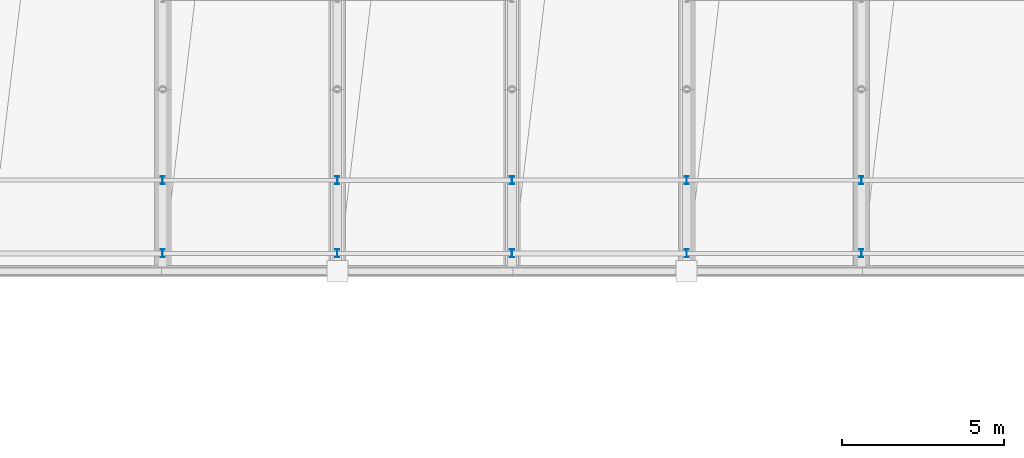
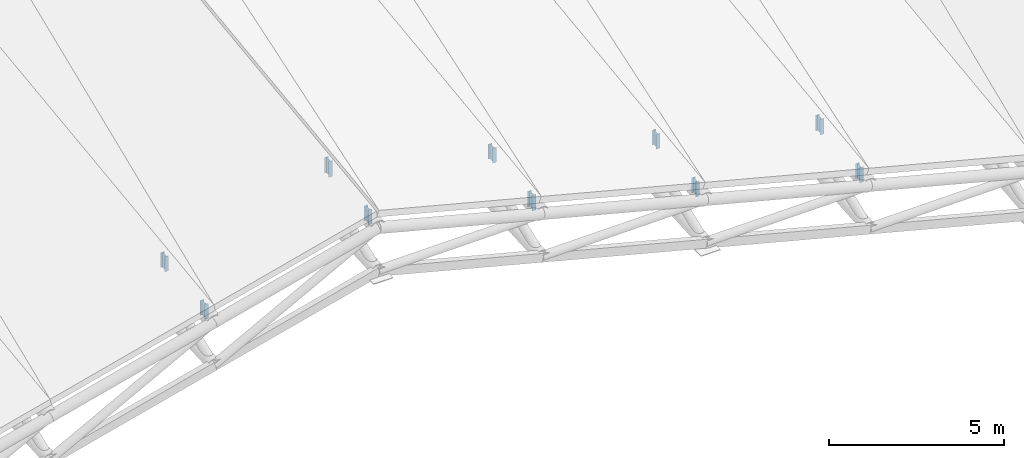
# One storey, part 59 of 109: 10 members.
"""IFC4 building model written with IfcOpenShell, lengths in metres."""

from ifc_helpers import new_model, si_unit, direction, frame, origin, origin_2d, place, context, subcontext, project, spatial, i_section, extrude, material, material_profile, profile_set, type_object, element, save


model = new_model("IFC4")

# Units and contexts
model_context = context("Model", 3, precision=1e-05, world=origin(), true_north=direction((0.0, 1.0)))
body_context = subcontext(model_context, "Body", "Model", "MODEL_VIEW")
ifc_project = project(units=[si_unit("LENGTHUNIT", "METRE"), si_unit("AREAUNIT", "SQUARE_METRE"), si_unit("VOLUMEUNIT", "CUBIC_METRE"), si_unit("PLANEANGLEUNIT", "RADIAN"), si_unit("MASSUNIT", "GRAM", prefix="KILO")], contexts=[model_context])

# Site, building, storey
site_placement = place(None, origin())
site = spatial("IfcSite", under=ifc_project, at=site_placement, CompositionType="ELEMENT")
building_placement = place(site_placement, origin())
building = spatial("IfcBuilding", under=site, at=building_placement, Name="Suirenkawa Promenade Aquatics Centre", CompositionType="ELEMENT")
storey_placement = place(building_placement, frame((0.0, 0.0, 22.800048828125)))
storey = spatial("IfcBuildingStorey", under=building, at=storey_placement, Name="ROOF", CompositionType="ELEMENT", Elevation=22.800048828125)

# Members
ifc_material = material(Name="Steel IS 2062 E350 (Grade 350)", Category="steel")
ifc_material_profile = material_profile(ifc_material, i_section(OverallWidth=0.125, OverallDepth=0.25, WebThickness=0.007080078125, FlangeThickness=0.012939453125, at=origin_2d()), Name="ISMB 250", Category="steel")
ifc_profile_set = profile_set([ifc_material_profile], Name="Steel IS 2062 E350 (Grade 350)")
member_type = type_object("IfcMemberType", Name="MT-WEB-CHS168", PredefinedType="BRACE", material=ifc_profile_set)
member_1_placement = place(storey_placement, frame((106.199951171875, 50.949951171875, -10.948974609375), z_axis=(0.0, 0.0, 1.0), x_axis=(1.0, 0.0, 0.0)))
element("IfcMember", 1, at=member_1_placement, inside=storey, type_object=member_type, Name="ROOF TRUSS Purlin cleat post TD-03 MB-2048", PredefinedType="BRACE", context=body_context, shape_type="SweptSolid", body=[
    extrude(i_section(OverallWidth=0.125, OverallDepth=0.25, WebThickness=0.007080078125, FlangeThickness=0.012939453125, at=origin_2d()), origin(), (0.0, 0.0, 1.0), 0.51904296875),
])
for number, where, z_axis, x_axis, name in (
    (2, (106.199951171875, 53.2119140625, -10.657958984375), (0.0, 0.0, 1.0), (1.0, 0.0, 0.0), "ROOF TRUSS Purlin cleat post TD-03 MB-2050"),
    (3, (111.60009765625, 50.949951171875, -9.549072265625), (0.0, 0.0, 1.0), (1.0, 0.0, 0.0), "ROOF TRUSS Purlin cleat post TD-03 MB-2084"),
):
    element("IfcMember", number, at=place(storey_placement, frame(where, z_axis=z_axis, x_axis=x_axis)), inside=storey, type_object=member_type, Name=name, PredefinedType="BRACE", context=body_context, shape_type="SweptSolid", body=[
        extrude(i_section(OverallWidth=0.125, OverallDepth=0.25, WebThickness=0.007080078125, FlangeThickness=0.012939453125, at=origin_2d()), origin(), (0.0, 0.0, 1.0), 0.52099609375),
    ])
member_2_placement = place(storey_placement, frame((111.60009765625, 53.2119140625, -9.258056640625), z_axis=(0.0, 0.0, 1.0), x_axis=(1.0, 0.0, 0.0)))
element("IfcMember", 4, at=member_2_placement, inside=storey, type_object=member_type, Name="ROOF TRUSS Purlin cleat post TD-03 MB-2086", PredefinedType="BRACE", context=body_context, shape_type="SweptSolid", body=[
    extrude(i_section(OverallWidth=0.125, OverallDepth=0.25, WebThickness=0.007080078125, FlangeThickness=0.012939453125, at=origin_2d()), origin(), (0.0, 0.0, 1.0), 0.547119140625),
])
member_3_placement = place(storey_placement, frame((117.0, 50.949951171875, -10.948974609375), z_axis=(0.0, 0.0, 1.0), x_axis=(1.0, 0.0, 0.0)))
element("IfcMember", 5, at=member_3_placement, inside=storey, type_object=member_type, Name="ROOF TRUSS Purlin cleat post TD-03 MB-2120", PredefinedType="BRACE", context=body_context, shape_type="SweptSolid", body=[
    extrude(i_section(OverallWidth=0.125, OverallDepth=0.25, WebThickness=0.007080078125, FlangeThickness=0.012939453125, at=origin_2d()), origin(), (0.0, 0.0, 1.0), 0.5458984375),
])
member_4_placement = place(storey_placement, frame((117.0, 53.2119140625, -10.657958984375), z_axis=(0.0, 0.0, 1.0), x_axis=(1.0, 0.0, 0.0)))
element("IfcMember", 6, at=member_4_placement, inside=storey, type_object=member_type, Name="ROOF TRUSS Purlin cleat post TD-03 MB-2122", PredefinedType="BRACE", context=body_context, shape_type="SweptSolid", body=[
    extrude(i_section(OverallWidth=0.125, OverallDepth=0.25, WebThickness=0.007080078125, FlangeThickness=0.012939453125, at=origin_2d()), origin(), (0.0, 0.0, 1.0), 0.52001953125),
])
member_5_placement = place(storey_placement, frame((122.39990234375, 50.949951171875, -12.34912109375), z_axis=(0.0, 0.0, 1.0), x_axis=(1.0, 0.0, 0.0)))
element("IfcMember", 7, at=member_5_placement, inside=storey, type_object=member_type, Name="ROOF TRUSS Purlin cleat post TD-03 MB-2156", PredefinedType="BRACE", context=body_context, shape_type="SweptSolid", body=[
    extrude(i_section(OverallWidth=0.125, OverallDepth=0.25, WebThickness=0.007080078125, FlangeThickness=0.012939453125, at=origin_2d()), origin(), (0.0, 0.0, 1.0), 0.51904296875),
])
for number, where, z_axis, x_axis, name in (
    (8, (122.39990234375, 53.2119140625, -12.05810546875), (0.0, 0.0, 1.0), (1.0, 0.0, 0.0), "ROOF TRUSS Purlin cleat post TD-03 MB-2158"),
    (9, (127.800048828125, 50.949951171875, -13.7490234375), (0.0, 0.0, 1.0), (1.0, 0.0, 0.0), "ROOF TRUSS Purlin cleat post TD-03 MB-2192"),
):
    element("IfcMember", number, at=place(storey_placement, frame(where, z_axis=z_axis, x_axis=x_axis)), inside=storey, type_object=member_type, Name=name, PredefinedType="BRACE", context=body_context, shape_type="SweptSolid", body=[
        extrude(i_section(OverallWidth=0.125, OverallDepth=0.25, WebThickness=0.007080078125, FlangeThickness=0.012939453125, at=origin_2d()), origin(), (0.0, 0.0, 1.0), 0.52099609375),
    ])
member_6_placement = place(storey_placement, frame((127.800048828125, 53.2119140625, -13.4580078125), z_axis=(0.0, 0.0, 1.0), x_axis=(1.0, 0.0, 0.0)))
element("IfcMember", 10, at=member_6_placement, inside=storey, type_object=member_type, Name="ROOF TRUSS Purlin cleat post TD-03 MB-2194", PredefinedType="BRACE", context=body_context, shape_type="SweptSolid", body=[
    extrude(i_section(OverallWidth=0.125, OverallDepth=0.25, WebThickness=0.007080078125, FlangeThickness=0.012939453125, at=origin_2d()), origin(), (0.0, 0.0, 1.0), 0.546875),
])

save(model, "model.ifc")
